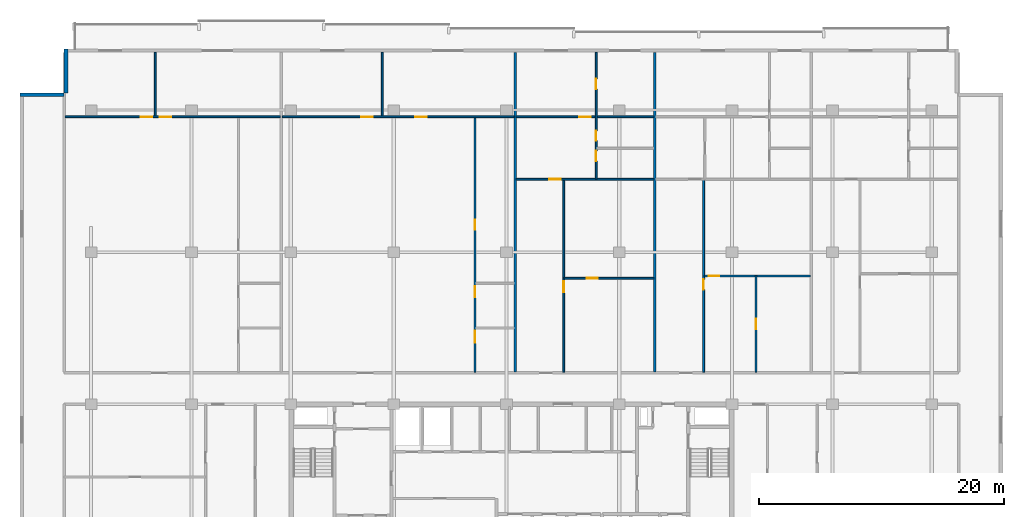
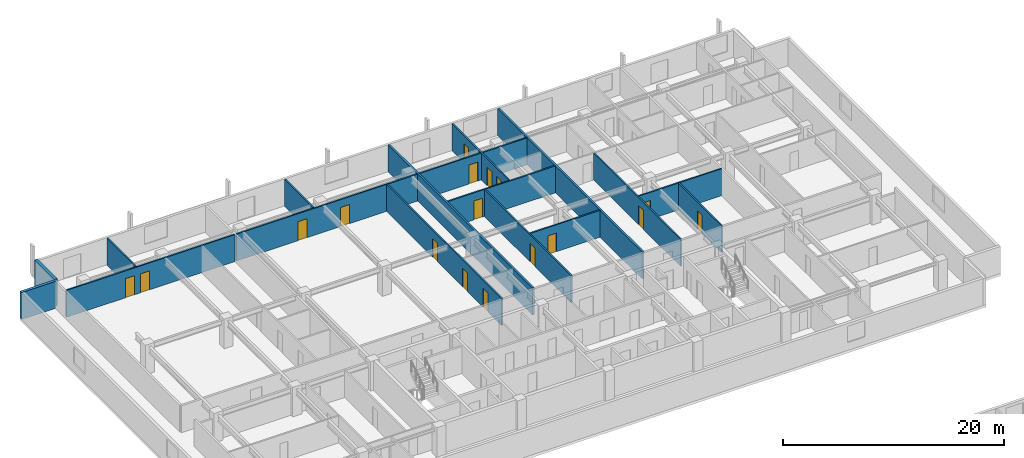
# One storey, part 14 of 22: 17 doors, 17 walls, 17 openings.
"""IFC4 building model written with IfcOpenShell, lengths in metres."""

from ifc_helpers import new_model, si_unit, direction, frame, frame_2d, origin, place, context, subcontext, project, spatial, rectangle, extrude, material, layer, layer_set, type_object, element, fill, save


model = new_model("IFC4")

# Units and contexts
model_context = context("Model", 3, precision=1e-05, world=origin(), true_north=direction((0.0, 1.0)))
body_context = subcontext(model_context, "Body", "Model", "MODEL_VIEW")
ifc_project = project(units=[si_unit("LENGTHUNIT", "METRE"), si_unit("AREAUNIT", "SQUARE_METRE"), si_unit("VOLUMEUNIT", "CUBIC_METRE"), si_unit("PLANEANGLEUNIT", "RADIAN"), si_unit("MASSUNIT", "GRAM", prefix="KILO")], contexts=[model_context])

# Site, building, storey
site_placement = place(None, origin())
site = spatial("IfcSite", under=ifc_project, at=site_placement, CompositionType="ELEMENT")
building_placement = place(site_placement, origin())
building = spatial("IfcBuilding", under=site, at=building_placement, Name="Korimba Cascade Residences", CompositionType="ELEMENT")
storey_placement = place(building_placement, frame((0.0, 0.0, 110.050048828125)))
storey = spatial("IfcBuildingStorey", under=building, at=storey_placement, Name="L31", CompositionType="ELEMENT", Elevation=110.050048828125)

# Walls
ifc_material_1 = material(Name="Precast concrete C40/50", Category="concrete")
ifc_layer_1 = layer(ifc_material_1, 0.300048828125)
ifc_layer_set_1 = layer_set([ifc_layer_1], Name="Precast concrete C40/50")
wall_type_1 = type_object("IfcWallType", Name="EW-STONE-300", PredefinedType="STANDARD", material=ifc_layer_set_1)
wall_1_placement = place(storey_placement, frame((57.75, 96.199951171875, 0.0), z_axis=(0.0, 0.0, 1.0), x_axis=(0.0, -1.0, 0.0)))
element("IfcWall", 1, at=wall_1_placement, inside=storey, type_object=wall_type_1, Name="L31 T1 Perimeter Stone Wall E07", PredefinedType="STANDARD", context=body_context, shape_type="SweptSolid", body=[
    extrude(rectangle(XDim=3.599853515625, YDim=0.300048828125, at=frame_2d((1.7998046875, 0.0))), origin(), (0.0, 0.0, 1.0), 2.969970703125),
])
wall_2_placement = place(storey_placement, frame((57.60009765625, 92.449951171875, 0.0), z_axis=(0.0, 0.0, 1.0), x_axis=(-1.0, 0.0, 0.0)))
element("IfcWall", 2, at=wall_2_placement, inside=storey, type_object=wall_type_1, Name="L31 T1 Perimeter Stone Wall E08", PredefinedType="STANDARD", context=body_context, shape_type="SweptSolid", body=[
    extrude(rectangle(XDim=3.60009765625, YDim=0.300048828125, at=frame_2d((1.800048828125, 0.0))), origin(), (0.0, 0.0, 1.0), 2.969970703125),
])
ifc_layer_2 = layer(ifc_material_1, 0.199951171875)
ifc_layer_set_2 = layer_set([ifc_layer_2], Name="Precast concrete C40/50")
wall_type_2 = type_object("IfcWallType", Name="WAL-IT-200", PredefinedType="PARTITIONING", material=ifc_layer_set_2)
for number, where, z_axis, x_axis, name in (
    (3, (94.400634765625, 69.830078125, 0.0), (0.0, 0.0, 1.0), (0.0, 1.0, 0.0), "L31 Partition Wall WAL-L31-T1-DEM-2"),
    (4, (105.816650390625, 69.830078125, 0.0), (0.0, 0.0, 1.0), (0.0, 1.0, 0.0), "L31 Partition Wall WAL-L31-T1-DEM-3"),
):
    element("IfcWall", number, at=place(storey_placement, frame(where, z_axis=z_axis, x_axis=x_axis)), inside=storey, type_object=wall_type_2, Name=name, PredefinedType="PARTITIONING", context=body_context, shape_type="SweptSolid", body=[
        extrude(rectangle(XDim=26.06982421875, YDim=0.199951171875, at=frame_2d((13.034912109375, 0.0))), origin(), (0.0, 0.0, 1.0), 2.969970703125),
    ])
ifc_material_2 = material(Name="Insulated Acoustic Stud Partition", Category="gypsum")
ifc_layer_3 = layer(ifc_material_2, 0.14990234375)
ifc_layer_set_3 = layer_set([ifc_layer_3], Name="Insulated Acoustic Stud Partition")
wall_type_3 = type_object("IfcWallType", Name="WAL-PART-150", PredefinedType="PARTITIONING", material=ifc_layer_set_3)
wall_3_placement = place(storey_placement, frame((65.042236328125, 90.72998046875, 0.0), z_axis=(0.0, 0.0, 1.0), x_axis=(0.0, 1.0, 0.0)))
element("IfcWall", 5, at=wall_3_placement, inside=storey, type_object=wall_type_3, Name="L31 Partition Wall WAL-L31-T1-U01-OUTV", PredefinedType="PARTITIONING", context=body_context, shape_type="SweptSolid", body=[
    extrude(rectangle(XDim=5.169921875, YDim=0.14990234375, at=frame_2d((2.5849609375, 0.0))), origin(), (0.0, 0.0, 1.0), 2.969970703125),
])

# Wall, openings, doors
wall_4_placement = place(storey_placement, frame((57.679931640625, 90.64990234375, 0.0), z_axis=(0.0, 0.0, 1.0), x_axis=(1.0, 0.0, 0.0)))
wall_4 = element("IfcWall", 6, at=wall_4_placement, inside=storey, type_object=wall_type_3, Name="L31 Partition Wall WAL-L31-T1-U01-HZ", PredefinedType="PARTITIONING", context=body_context, shape_type="SweptSolid", body=[
    extrude(rectangle(XDim=17.564697265625, YDim=0.14990234375, at=frame_2d((8.7822265625, 0.0))), origin(), (0.0, 0.0, 1.0), 2.969970703125),
])
opening_1_placement = place(wall_4_placement, frame((6.17236328125, 0.0, 0.0)))
opening_1 = element("IfcOpeningElement", 7, at=opening_1_placement, cuts=wall_4, Name="Opening D-IN0", PredefinedType="OPENING", context=body_context, shape_type="SweptSolid", body=[
    extrude(rectangle(XDim=0.93994140625, YDim=2.10009765625, at=frame_2d((0.469970703125, 1.050048828125))), frame((0.0, 0.0849609375, 0.0), z_axis=(0.0, -1.0, 0.0), x_axis=(1.0, 0.0, 0.0)), (0.0, 0.0, 1.0), 0.169921875),
])
opening_2_placement = place(wall_4_placement, frame((7.718994140625, 0.0, 0.0)))
opening_2 = element("IfcOpeningElement", 8, at=opening_2_placement, cuts=wall_4, Name="Opening D-IN0", PredefinedType="OPENING", context=body_context, shape_type="SweptSolid", body=[
    extrude(rectangle(XDim=0.93994140625, YDim=2.10009765625, at=frame_2d((0.469970703125, 1.050048828125))), frame((0.0, 0.0849609375, 0.0), z_axis=(0.0, -1.0, 0.0), x_axis=(1.0, 0.0, 0.0)), (0.0, 0.0, 1.0), 0.169921875),
])
ifc_material_3 = material(Name="Acoustic Timber Living Archway Door", Category="wood")
door_type_1 = type_object("IfcDoorType", Name="DR-INT-950", OperationType="NOTDEFINED", PredefinedType="DOOR", material=ifc_material_3)
door_1_placement = place(opening_1_placement, origin())
door_1 = element("IfcDoor", 9, at=door_1_placement, inside=storey, type_object=door_type_1, Name="L31-T1-U01 Fitness Pilates Gym Door", OperationType="SINGLE_SWING_LEFT", OverallHeight=2.10009765625, OverallWidth=0.93994140625, PredefinedType="DOOR", context=body_context, shape_type="SweptSolid", body=[
    extrude(rectangle(XDim=0.93994140625, YDim=2.10009765625, at=frame_2d((0.469970703125, 1.050048828125))), frame((0.0, 0.02490234375, 0.0), z_axis=(0.0, -1.0, 0.0), x_axis=(1.0, 0.0, 0.0)), (0.0, 0.0, 1.0), 0.050048828125),
])
fill(opening_1, door_1)
door_2_placement = place(opening_2_placement, origin())
door_2 = element("IfcDoor", 10, at=door_2_placement, inside=storey, type_object=door_type_1, Name="L31-T1-U01 Private Screening Cinema Door", OperationType="SINGLE_SWING_RIGHT", OverallHeight=2.10009765625, OverallWidth=0.93994140625, PredefinedType="DOOR", context=body_context, shape_type="SweptSolid", body=[
    extrude(rectangle(XDim=0.93994140625, YDim=2.10009765625, at=frame_2d((0.469970703125, 1.050048828125))), frame((0.0, 0.02490234375, 0.0), z_axis=(0.0, -1.0, 0.0), x_axis=(1.0, 0.0, 0.0)), (0.0, 0.0, 1.0), 0.050048828125),
])
fill(opening_2, door_2)

wall_5_placement = place(storey_placement, frame((91.130615234375, 69.81005859375, 0.0), z_axis=(0.0, 0.0, 1.0), x_axis=(0.0, 1.0, 0.0)))
wall_5 = element("IfcWall", 11, at=wall_5_placement, inside=storey, type_object=wall_type_3, Name="L31 Partition Wall WAL-L31-T1-U02-WCV", PredefinedType="PARTITIONING", context=body_context, shape_type="SweptSolid", body=[
    extrude(rectangle(XDim=20.780029296875, YDim=0.14990234375, at=frame_2d((10.39013671875, 0.0))), origin(), (0.0, 0.0, 1.0), 2.969970703125),
])
opening_3_placement = place(wall_5_placement, frame((2.406005859375, 0.0, 0.0)))
opening_3 = element("IfcOpeningElement", 12, at=opening_3_placement, cuts=wall_5, Name="Opening D-AC1", PredefinedType="OPENING", context=body_context, shape_type="SweptSolid", body=[
    extrude(rectangle(XDim=0.9599609375, YDim=2.10009765625, at=frame_2d((0.47998046875, 1.050048828125))), frame((0.0, 0.0849609375, 0.0), z_axis=(0.0, -1.0, 0.0), x_axis=(1.0, 0.0, 0.0)), (0.0, 0.0, 1.0), 0.169921875),
])
opening_4_placement = place(wall_5_placement, frame((6.132568359375, 0.0, 0.0)))
opening_4 = element("IfcOpeningElement", 13, at=opening_4_placement, cuts=wall_5, Name="Opening D-IN2", PredefinedType="OPENING", context=body_context, shape_type="SweptSolid", body=[
    extrude(rectangle(XDim=0.8798828125, YDim=2.06005859375, at=frame_2d((0.43994140625, 1.030029296875))), frame((0.0, 0.0849609375, 0.0), z_axis=(0.0, -1.0, 0.0), x_axis=(1.0, 0.0, 0.0)), (0.0, 0.0, 1.0), 0.169921875),
])
opening_5_placement = place(wall_5_placement, frame((11.61474609375, 0.0, 0.0)))
opening_5 = element("IfcOpeningElement", 14, at=opening_5_placement, cuts=wall_5, Name="Opening D-BT1", PredefinedType="OPENING", context=body_context, shape_type="SweptSolid", body=[
    extrude(rectangle(XDim=0.840087890625, YDim=2.0400390625, at=frame_2d((0.419921875, 1.02001953125))), frame((0.0, 0.0849609375, 0.0), z_axis=(0.0, -1.0, 0.0), x_axis=(1.0, 0.0, 0.0)), (0.0, 0.0, 1.0), 0.169921875),
])
ifc_material_4 = material(Name="Accessible Acoustic Timber WC Door", Category="wood")
door_type_2 = type_object("IfcDoorType", Name="DR-ACC-950", OperationType="NOTDEFINED", PredefinedType="DOOR", material=ifc_material_4)
door_3_placement = place(opening_3_placement, origin())
door_3 = element("IfcDoor", 15, at=door_3_placement, inside=storey, type_object=door_type_2, Name="L31-T1-U02 Accessible WC Door", OperationType="SINGLE_SWING_LEFT", OverallHeight=2.10009765625, OverallWidth=0.9599609375, PredefinedType="DOOR", context=body_context, shape_type="SweptSolid", body=[
    extrude(rectangle(XDim=0.9599609375, YDim=2.10009765625, at=frame_2d((0.47998046875, 1.050048828125))), frame((0.0, 0.02490234375, 0.0), z_axis=(0.0, -1.0, 0.0), x_axis=(1.0, 0.0, 0.0)), (0.0, 0.0, 1.0), 0.050048828125),
])
fill(opening_3, door_3)
ifc_material_5 = material(Name="Moisture-Resistant Bathroom Timber Door", Category="wood")
door_type_3 = type_object("IfcDoorType", Name="DR-INT-850", OperationType="NOTDEFINED", PredefinedType="DOOR", material=ifc_material_5)
door_4_placement = place(opening_5_placement, origin())
door_4 = element("IfcDoor", 16, at=door_4_placement, inside=storey, type_object=door_type_3, Name="L31-T1-U02 Suite Store Door", OperationType="SINGLE_SWING_LEFT", OverallHeight=2.0400390625, OverallWidth=0.840087890625, PredefinedType="DOOR", context=body_context, shape_type="SweptSolid", body=[
    extrude(rectangle(XDim=0.840087890625, YDim=2.0400390625, at=frame_2d((0.419921875, 1.02001953125))), frame((0.0, 0.02490234375, 0.0), z_axis=(0.0, -1.0, 0.0), x_axis=(1.0, 0.0, 0.0)), (0.0, 0.0, 1.0), 0.050048828125),
])
fill(opening_5, door_4)
ifc_material_6 = material(Name="Acoustic Timber Bedroom Door", Category="wood")
door_type_4 = type_object("IfcDoorType", Name="DR-INT-880", OperationType="NOTDEFINED", PredefinedType="DOOR", material=ifc_material_6)
door_5_placement = place(opening_4_placement, origin())
door_5 = element("IfcDoor", 17, at=door_5_placement, inside=storey, type_object=door_type_4, Name="L31-T1-U02 Restroom WC Door", OperationType="SINGLE_SWING_RIGHT", OverallHeight=2.06005859375, OverallWidth=0.8798828125, PredefinedType="DOOR", context=body_context, shape_type="SweptSolid", body=[
    extrude(rectangle(XDim=0.8798828125, YDim=2.06005859375, at=frame_2d((0.43994140625, 1.030029296875))), frame((0.0, 0.02490234375, 0.0), z_axis=(0.0, -1.0, 0.0), x_axis=(1.0, 0.0, 0.0)), (0.0, 0.0, 1.0), 0.050048828125),
])
fill(opening_4, door_5)

# Wall
wall_6_placement = place(storey_placement, frame((83.5576171875, 90.72998046875, 0.0), z_axis=(0.0, 0.0, 1.0), x_axis=(0.0, 1.0, 0.0)))
element("IfcWall", 18, at=wall_6_placement, inside=storey, type_object=wall_type_3, Name="L31 Partition Wall WAL-L31-T1-U02-OUTV", PredefinedType="PARTITIONING", context=body_context, shape_type="SweptSolid", body=[
    extrude(rectangle(XDim=5.169921875, YDim=0.14990234375, at=frame_2d((2.5849609375, 0.0))), origin(), (0.0, 0.0, 1.0), 2.969970703125),
])

# Wall, openings, doors
wall_7_placement = place(storey_placement, frame((75.40478515625, 90.64990234375, 0.0), z_axis=(0.0, 0.0, 1.0), x_axis=(1.0, 0.0, 0.0)))
wall_7 = element("IfcWall", 19, at=wall_7_placement, inside=storey, type_object=wall_type_3, Name="L31 Partition Wall WAL-L31-T1-U02-HZ", PredefinedType="PARTITIONING", context=body_context, shape_type="SweptSolid", body=[
    extrude(rectangle(XDim=18.915771484375, YDim=0.14990234375, at=frame_2d((9.4580078125, 0.0))), origin(), (0.0, 0.0, 1.0), 2.969970703125),
])
opening_6_placement = place(wall_7_placement, frame((6.42578125, 0.0, 0.0)))
opening_6 = element("IfcOpeningElement", 20, at=opening_6_placement, cuts=wall_7, Name="Opening D-IN0", PredefinedType="OPENING", context=body_context, shape_type="SweptSolid", body=[
    extrude(rectangle(XDim=0.93994140625, YDim=2.10009765625, at=frame_2d((0.469970703125, 1.050048828125))), frame((0.0, 0.0849609375, 0.0), z_axis=(0.0, -1.0, 0.0), x_axis=(1.0, 0.0, 0.0)), (0.0, 0.0, 1.0), 0.169921875),
])
opening_7_placement = place(wall_7_placement, frame((10.856201171875, 0.0, 0.0)))
opening_7 = element("IfcOpeningElement", 21, at=opening_7_placement, cuts=wall_7, Name="Opening D-IN0", PredefinedType="OPENING", context=body_context, shape_type="SweptSolid", body=[
    extrude(rectangle(XDim=0.93994140625, YDim=2.10009765625, at=frame_2d((0.469970703125, 1.050048828125))), frame((0.0, 0.0849609375, 0.0), z_axis=(0.0, -1.0, 0.0), x_axis=(1.0, 0.0, 0.0)), (0.0, 0.0, 1.0), 0.169921875),
])
door_6_placement = place(opening_6_placement, origin())
door_6 = element("IfcDoor", 22, at=door_6_placement, inside=storey, type_object=door_type_1, Name="L31-T1-U02 Fitness Pilates Gym Door", OperationType="SINGLE_SWING_RIGHT", OverallHeight=2.10009765625, OverallWidth=0.93994140625, PredefinedType="DOOR", context=body_context, shape_type="SweptSolid", body=[
    extrude(rectangle(XDim=0.93994140625, YDim=2.10009765625, at=frame_2d((0.469970703125, 1.050048828125))), frame((0.0, 0.02490234375, 0.0), z_axis=(0.0, -1.0, 0.0), x_axis=(1.0, 0.0, 0.0)), (0.0, 0.0, 1.0), 0.050048828125),
])
fill(opening_6, door_6)
door_7_placement = place(opening_7_placement, origin())
door_7 = element("IfcDoor", 23, at=door_7_placement, inside=storey, type_object=door_type_1, Name="L31-T1-U02 Private Screening Cinema Door", OperationType="SINGLE_SWING_LEFT", OverallHeight=2.10009765625, OverallWidth=0.93994140625, PredefinedType="DOOR", context=body_context, shape_type="SweptSolid", body=[
    extrude(rectangle(XDim=0.93994140625, YDim=2.10009765625, at=frame_2d((0.469970703125, 1.050048828125))), frame((0.0, 0.02490234375, 0.0), z_axis=(0.0, -1.0, 0.0), x_axis=(1.0, 0.0, 0.0)), (0.0, 0.0, 1.0), 0.050048828125),
])
fill(opening_7, door_7)

# Wall, opening, door
wall_8_placement = place(storey_placement, frame((98.4306640625, 77.47998046875, 0.0), z_axis=(0.0, 0.0, 1.0), x_axis=(1.0, 0.0, 0.0)))
wall_8 = element("IfcWall", 24, at=wall_8_placement, inside=storey, type_object=wall_type_3, Name="L31 Partition Wall WAL-L31-T1-U03-FMH", PredefinedType="PARTITIONING", context=body_context, shape_type="SweptSolid", body=[
    extrude(rectangle(XDim=7.305908203125, YDim=0.14990234375, at=frame_2d((3.65283203125, 0.0))), origin(), (0.0, 0.0, 1.0), 2.969970703125),
])
opening_8_placement = place(wall_8_placement, frame((1.8388671875, 0.0, 0.0)))
opening_8 = element("IfcOpeningElement", 25, at=opening_8_placement, cuts=wall_8, Name="Opening D-IN2", PredefinedType="OPENING", context=body_context, shape_type="SweptSolid", body=[
    extrude(rectangle(XDim=0.8798828125, YDim=2.06005859375, at=frame_2d((0.43994140625, 1.030029296875))), frame((0.0, 0.0849609375, 0.0), z_axis=(0.0, -1.0, 0.0), x_axis=(1.0, 0.0, 0.0)), (0.0, 0.0, 1.0), 0.169921875),
])
door_8_placement = place(opening_8_placement, origin())
door_8 = element("IfcDoor", 26, at=door_8_placement, inside=storey, type_object=door_type_4, Name="L31-T1-U03 Library Salon Door", OperationType="SINGLE_SWING_RIGHT", OverallHeight=2.06005859375, OverallWidth=0.8798828125, PredefinedType="DOOR", context=body_context, shape_type="SweptSolid", body=[
    extrude(rectangle(XDim=0.8798828125, YDim=2.06005859375, at=frame_2d((0.43994140625, 1.030029296875))), frame((0.0, 0.02490234375, 0.0), z_axis=(0.0, -1.0, 0.0), x_axis=(1.0, 0.0, 0.0)), (0.0, 0.0, 1.0), 0.050048828125),
])
fill(opening_8, door_8)

wall_9_placement = place(storey_placement, frame((98.37060546875, 69.81005859375, 0.0), z_axis=(0.0, 0.0, 1.0), x_axis=(0.0, 1.0, 0.0)))
wall_9 = element("IfcWall", 27, at=wall_9_placement, inside=storey, type_object=wall_type_3, Name="L31 Partition Wall WAL-L31-T1-U03-FV", PredefinedType="PARTITIONING", context=body_context, shape_type="SweptSolid", body=[
    extrude(rectangle(XDim=15.699951171875, YDim=0.14990234375, at=frame_2d((7.85009765625, 0.0))), origin(), (0.0, 0.0, 1.0), 2.969970703125),
])
opening_9_placement = place(wall_9_placement, frame((6.5400390625, 0.0, 0.0)))
opening_9 = element("IfcOpeningElement", 28, at=opening_9_placement, cuts=wall_9, Name="Opening D-IN2", PredefinedType="OPENING", context=body_context, shape_type="SweptSolid", body=[
    extrude(rectangle(XDim=0.8798828125, YDim=2.06005859375, at=frame_2d((0.43994140625, 1.030029296875))), frame((0.0, 0.0849609375, 0.0), z_axis=(0.0, -1.0, 0.0), x_axis=(1.0, 0.0, 0.0)), (0.0, 0.0, 1.0), 0.169921875),
])
door_9_placement = place(opening_9_placement, origin())
door_9 = element("IfcDoor", 29, at=door_9_placement, inside=storey, type_object=door_type_4, Name="L31-T1-U03 Media Lounge Door", OperationType="SINGLE_SWING_LEFT", OverallHeight=2.06005859375, OverallWidth=0.8798828125, PredefinedType="DOOR", context=body_context, shape_type="SweptSolid", body=[
    extrude(rectangle(XDim=0.8798828125, YDim=2.06005859375, at=frame_2d((0.43994140625, 1.030029296875))), frame((0.0, 0.02490234375, 0.0), z_axis=(0.0, -1.0, 0.0), x_axis=(1.0, 0.0, 0.0)), (0.0, 0.0, 1.0), 0.050048828125),
])
fill(opening_9, door_9)

# Wall, openings, doors
wall_10_placement = place(storey_placement, frame((101.02001953125, 85.590087890625, 0.0), z_axis=(0.0, 0.0, 1.0), x_axis=(0.0, 1.0, 0.0)))
wall_10 = element("IfcWall", 30, at=wall_10_placement, inside=storey, type_object=wall_type_3, Name="L31 Partition Wall WAL-L31-T1-U03-V1", PredefinedType="PARTITIONING", context=body_context, shape_type="SweptSolid", body=[
    extrude(rectangle(XDim=10.309814453125, YDim=0.14990234375, at=frame_2d((5.15478515625, 0.0))), origin(), (0.0, 0.0, 1.0), 2.969970703125),
])
opening_10_placement = place(wall_10_placement, frame((1.430419921875, 0.0, 0.0)))
opening_10 = element("IfcOpeningElement", 31, at=opening_10_placement, cuts=wall_10, Name="Opening D-BT1", PredefinedType="OPENING", context=body_context, shape_type="SweptSolid", body=[
    extrude(rectangle(XDim=0.840087890625, YDim=2.0400390625, at=frame_2d((0.419921875, 1.02001953125))), frame((0.0, 0.0849609375, 0.0), z_axis=(0.0, -1.0, 0.0), x_axis=(1.0, 0.0, 0.0)), (0.0, 0.0, 1.0), 0.169921875),
])
opening_11_placement = place(wall_10_placement, frame((3.1015625, 0.0, 0.0)))
opening_11 = element("IfcOpeningElement", 32, at=opening_11_placement, cuts=wall_10, Name="Opening D-BT1", PredefinedType="OPENING", context=body_context, shape_type="SweptSolid", body=[
    extrude(rectangle(XDim=0.840087890625, YDim=2.0400390625, at=frame_2d((0.419921875, 1.02001953125))), frame((0.0, 0.0849609375, 0.0), z_axis=(0.0, -1.0, 0.0), x_axis=(1.0, 0.0, 0.0)), (0.0, 0.0, 1.0), 0.169921875),
])
opening_12_placement = place(wall_10_placement, frame((7.28955078125, 0.0, 0.0)))
opening_12 = element("IfcOpeningElement", 33, at=opening_12_placement, cuts=wall_10, Name="Opening D-IN2", PredefinedType="OPENING", context=body_context, shape_type="SweptSolid", body=[
    extrude(rectangle(XDim=0.8798828125, YDim=2.06005859375, at=frame_2d((0.43994140625, 1.030029296875))), frame((0.0, 0.0849609375, 0.0), z_axis=(0.0, -1.0, 0.0), x_axis=(1.0, 0.0, 0.0)), (0.0, 0.0, 1.0), 0.169921875),
])
door_10_placement = place(opening_10_placement, origin())
door_10 = element("IfcDoor", 34, at=door_10_placement, inside=storey, type_object=door_type_3, Name="L31-T1-U03 Bathroom Door", OperationType="SINGLE_SWING_RIGHT", OverallHeight=2.0400390625, OverallWidth=0.840087890625, PredefinedType="DOOR", context=body_context, shape_type="SweptSolid", body=[
    extrude(rectangle(XDim=0.840087890625, YDim=2.0400390625, at=frame_2d((0.419921875, 1.02001953125))), frame((0.0, 0.02490234375, 0.0), z_axis=(0.0, -1.0, 0.0), x_axis=(1.0, 0.0, 0.0)), (0.0, 0.0, 1.0), 0.050048828125),
])
fill(opening_10, door_10)
door_11_placement = place(opening_11_placement, origin())
door_11 = element("IfcDoor", 35, at=door_11_placement, inside=storey, type_object=door_type_3, Name="L31-T1-U03 Laundry Door", OperationType="SINGLE_SWING_LEFT", OverallHeight=2.0400390625, OverallWidth=0.840087890625, PredefinedType="DOOR", context=body_context, shape_type="SweptSolid", body=[
    extrude(rectangle(XDim=0.840087890625, YDim=2.0400390625, at=frame_2d((0.419921875, 1.02001953125))), frame((0.0, 0.02490234375, 0.0), z_axis=(0.0, -1.0, 0.0), x_axis=(1.0, 0.0, 0.0)), (0.0, 0.0, 1.0), 0.050048828125),
])
fill(opening_11, door_11)
door_12_placement = place(opening_12_placement, origin())
door_12 = element("IfcDoor", 36, at=door_12_placement, inside=storey, type_object=door_type_4, Name="L31-T1-U03 Bedroom 1 Door", OperationType="SINGLE_SWING_RIGHT", OverallHeight=2.06005859375, OverallWidth=0.8798828125, PredefinedType="DOOR", context=body_context, shape_type="SweptSolid", body=[
    extrude(rectangle(XDim=0.8798828125, YDim=2.06005859375, at=frame_2d((0.43994140625, 1.030029296875))), frame((0.0, 0.02490234375, 0.0), z_axis=(0.0, -1.0, 0.0), x_axis=(1.0, 0.0, 0.0)), (0.0, 0.0, 1.0), 0.050048828125),
])
fill(opening_12, door_12)

# Wall, opening, door
wall_11_placement = place(storey_placement, frame((94.480712890625, 85.550048828125, 0.0), z_axis=(0.0, 0.0, 1.0), x_axis=(1.0, 0.0, 0.0)))
wall_11 = element("IfcWall", 37, at=wall_11_placement, inside=storey, type_object=wall_type_3, Name="L31 Partition Wall WAL-L31-T1-U03-MW", PredefinedType="PARTITIONING", context=body_context, shape_type="SweptSolid", body=[
    extrude(rectangle(XDim=11.255859375, YDim=0.14990234375, at=frame_2d((5.6279296875, 0.0))), origin(), (0.0, 0.0, 1.0), 2.969970703125),
])
opening_13_placement = place(wall_11_placement, frame((2.719970703125, 0.0, 0.0)))
opening_13 = element("IfcOpeningElement", 38, at=opening_13_placement, cuts=wall_11, Name="Opening D-IN1", PredefinedType="OPENING", context=body_context, shape_type="SweptSolid", body=[
    extrude(rectangle(XDim=0.919921875, YDim=2.080078125, at=frame_2d((0.4599609375, 1.0400390625))), frame((0.0, 0.0849609375, 0.0), z_axis=(0.0, -1.0, 0.0), x_axis=(1.0, 0.0, 0.0)), (0.0, 0.0, 1.0), 0.169921875),
])
ifc_material_7 = material(Name="Acoustic Timber Living Door", Category="wood")
door_type_5 = type_object("IfcDoorType", Name="DR-INT-920", OperationType="NOTDEFINED", PredefinedType="DOOR", material=ifc_material_7)
door_13_placement = place(opening_13_placement, origin())
door_13 = element("IfcDoor", 39, at=door_13_placement, inside=storey, type_object=door_type_5, Name="L31-T1-U03 Kitchen Archway Door", OperationType="SINGLE_SWING_LEFT", OverallHeight=2.080078125, OverallWidth=0.919921875, PredefinedType="DOOR", context=body_context, shape_type="SweptSolid", body=[
    extrude(rectangle(XDim=0.919921875, YDim=2.080078125, at=frame_2d((0.4599609375, 1.0400390625))), frame((0.0, 0.02490234375, 0.0), z_axis=(0.0, -1.0, 0.0), x_axis=(1.0, 0.0, 0.0)), (0.0, 0.0, 1.0), 0.050048828125),
])
fill(opening_13, door_13)

wall_12_placement = place(storey_placement, frame((94.480712890625, 90.64990234375, 0.0), z_axis=(0.0, 0.0, 1.0), x_axis=(1.0, 0.0, 0.0)))
wall_12 = element("IfcWall", 40, at=wall_12_placement, inside=storey, type_object=wall_type_3, Name="L31 Partition Wall WAL-L31-T1-U03-HZ", PredefinedType="PARTITIONING", context=body_context, shape_type="SweptSolid", body=[
    extrude(rectangle(XDim=11.255859375, YDim=0.14990234375, at=frame_2d((5.6279296875, 0.0))), origin(), (0.0, 0.0, 1.0), 2.969970703125),
])
opening_14_placement = place(wall_12_placement, frame((5.157958984375, 0.0, 0.0)))
opening_14 = element("IfcOpeningElement", 41, at=opening_14_placement, cuts=wall_12, Name="Opening D-IN0", PredefinedType="OPENING", context=body_context, shape_type="SweptSolid", body=[
    extrude(rectangle(XDim=0.93994140625, YDim=2.10009765625, at=frame_2d((0.469970703125, 1.050048828125))), frame((0.0, 0.0849609375, 0.0), z_axis=(0.0, -1.0, 0.0), x_axis=(1.0, 0.0, 0.0)), (0.0, 0.0, 1.0), 0.169921875),
])
door_14_placement = place(opening_14_placement, origin())
door_14 = element("IfcDoor", 42, at=door_14_placement, inside=storey, type_object=door_type_1, Name="L31-T1-U03 Living Archway Door", OperationType="SINGLE_SWING_RIGHT", OverallHeight=2.10009765625, OverallWidth=0.93994140625, PredefinedType="DOOR", context=body_context, shape_type="SweptSolid", body=[
    extrude(rectangle(XDim=0.93994140625, YDim=2.10009765625, at=frame_2d((0.469970703125, 1.050048828125))), frame((0.0, 0.02490234375, 0.0), z_axis=(0.0, -1.0, 0.0), x_axis=(1.0, 0.0, 0.0)), (0.0, 0.0, 1.0), 0.050048828125),
])
fill(opening_14, door_14)

wall_13_placement = place(storey_placement, frame((114.055419921875, 69.81005859375, 0.0), z_axis=(0.0, 0.0, 1.0), x_axis=(0.0, 1.0, 0.0)))
wall_13 = element("IfcWall", 43, at=wall_13_placement, inside=storey, type_object=wall_type_3, Name="L31 Partition Wall WAL-L31-T1-U04-FMV", PredefinedType="PARTITIONING", context=body_context, shape_type="SweptSolid", body=[
    extrude(rectangle(XDim=7.849853515625, YDim=0.14990234375, at=frame_2d((3.9248046875, 0.0))), origin(), (0.0, 0.0, 1.0), 2.969970703125),
])
opening_15_placement = place(wall_13_placement, frame((3.5048828125, 0.0, 0.0)))
opening_15 = element("IfcOpeningElement", 44, at=opening_15_placement, cuts=wall_13, Name="Opening D-BT1", PredefinedType="OPENING", context=body_context, shape_type="SweptSolid", body=[
    extrude(rectangle(XDim=0.840087890625, YDim=2.0400390625, at=frame_2d((0.419921875, 1.02001953125))), frame((0.0, 0.0849609375, 0.0), z_axis=(0.0, -1.0, 0.0), x_axis=(1.0, 0.0, 0.0)), (0.0, 0.0, 1.0), 0.169921875),
])
door_15_placement = place(opening_15_placement, origin())
door_15 = element("IfcDoor", 45, at=door_15_placement, inside=storey, type_object=door_type_3, Name="L31-T1-U04 Wardrobe Door", OperationType="SINGLE_SWING_LEFT", OverallHeight=2.0400390625, OverallWidth=0.840087890625, PredefinedType="DOOR", context=body_context, shape_type="SweptSolid", body=[
    extrude(rectangle(XDim=0.840087890625, YDim=2.0400390625, at=frame_2d((0.419921875, 1.02001953125))), frame((0.0, 0.02490234375, 0.0), z_axis=(0.0, -1.0, 0.0), x_axis=(1.0, 0.0, 0.0)), (0.0, 0.0, 1.0), 0.050048828125),
])
fill(opening_15, door_15)

wall_14_placement = place(storey_placement, frame((109.8466796875, 77.659912109375, 0.0), z_axis=(0.0, 0.0, 1.0), x_axis=(1.0, 0.0, 0.0)))
wall_14 = element("IfcWall", 46, at=wall_14_placement, inside=storey, type_object=wall_type_3, Name="L31 Partition Wall WAL-L31-T1-U04-FMH", PredefinedType="PARTITIONING", context=body_context, shape_type="SweptSolid", body=[
    extrude(rectangle(XDim=8.6572265625, YDim=0.14990234375, at=frame_2d((4.32861328125, 0.0))), origin(), (0.0, 0.0, 1.0), 2.969970703125),
])
opening_16_placement = place(wall_14_placement, frame((0.35009765625, 0.0, 0.0)))
opening_16 = element("IfcOpeningElement", 47, at=opening_16_placement, cuts=wall_14, Name="Opening D-IN2", PredefinedType="OPENING", context=body_context, shape_type="SweptSolid", body=[
    extrude(rectangle(XDim=0.8798828125, YDim=2.06005859375, at=frame_2d((0.43994140625, 1.030029296875))), frame((0.0, 0.0849609375, 0.0), z_axis=(0.0, -1.0, 0.0), x_axis=(1.0, 0.0, 0.0)), (0.0, 0.0, 1.0), 0.169921875),
])
door_16_placement = place(opening_16_placement, origin())
door_16 = element("IfcDoor", 48, at=door_16_placement, inside=storey, type_object=door_type_4, Name="L31-T1-U04 Library Salon Door", OperationType="SINGLE_SWING_RIGHT", OverallHeight=2.06005859375, OverallWidth=0.8798828125, PredefinedType="DOOR", context=body_context, shape_type="SweptSolid", body=[
    extrude(rectangle(XDim=0.8798828125, YDim=2.06005859375, at=frame_2d((0.43994140625, 1.030029296875))), frame((0.0, 0.02490234375, 0.0), z_axis=(0.0, -1.0, 0.0), x_axis=(1.0, 0.0, 0.0)), (0.0, 0.0, 1.0), 0.050048828125),
])
fill(opening_16, door_16)

wall_15_placement = place(storey_placement, frame((109.78662109375, 69.81005859375, 0.0), z_axis=(0.0, 0.0, 1.0), x_axis=(0.0, 1.0, 0.0)))
wall_15 = element("IfcWall", 49, at=wall_15_placement, inside=storey, type_object=wall_type_3, Name="L31 Partition Wall WAL-L31-T1-U04-FV", PredefinedType="PARTITIONING", context=body_context, shape_type="SweptSolid", body=[
    extrude(rectangle(XDim=15.699951171875, YDim=0.14990234375, at=frame_2d((7.85009765625, 0.0))), origin(), (0.0, 0.0, 1.0), 2.969970703125),
])
opening_17_placement = place(wall_15_placement, frame((6.719970703125, 0.0, 0.0)))
opening_17 = element("IfcOpeningElement", 50, at=opening_17_placement, cuts=wall_15, Name="Opening D-IN2", PredefinedType="OPENING", context=body_context, shape_type="SweptSolid", body=[
    extrude(rectangle(XDim=0.8798828125, YDim=2.06005859375, at=frame_2d((0.43994140625, 1.030029296875))), frame((0.0, 0.0849609375, 0.0), z_axis=(0.0, -1.0, 0.0), x_axis=(1.0, 0.0, 0.0)), (0.0, 0.0, 1.0), 0.169921875),
])
door_17_placement = place(opening_17_placement, origin())
door_17 = element("IfcDoor", 51, at=door_17_placement, inside=storey, type_object=door_type_4, Name="L31-T1-U04 Media Lounge Door", OperationType="SINGLE_SWING_LEFT", OverallHeight=2.06005859375, OverallWidth=0.8798828125, PredefinedType="DOOR", context=body_context, shape_type="SweptSolid", body=[
    extrude(rectangle(XDim=0.8798828125, YDim=2.06005859375, at=frame_2d((0.43994140625, 1.030029296875))), frame((0.0, 0.02490234375, 0.0), z_axis=(0.0, -1.0, 0.0), x_axis=(1.0, 0.0, 0.0)), (0.0, 0.0, 1.0), 0.050048828125),
])
fill(opening_17, door_17)

save(model, "model.ifc")
